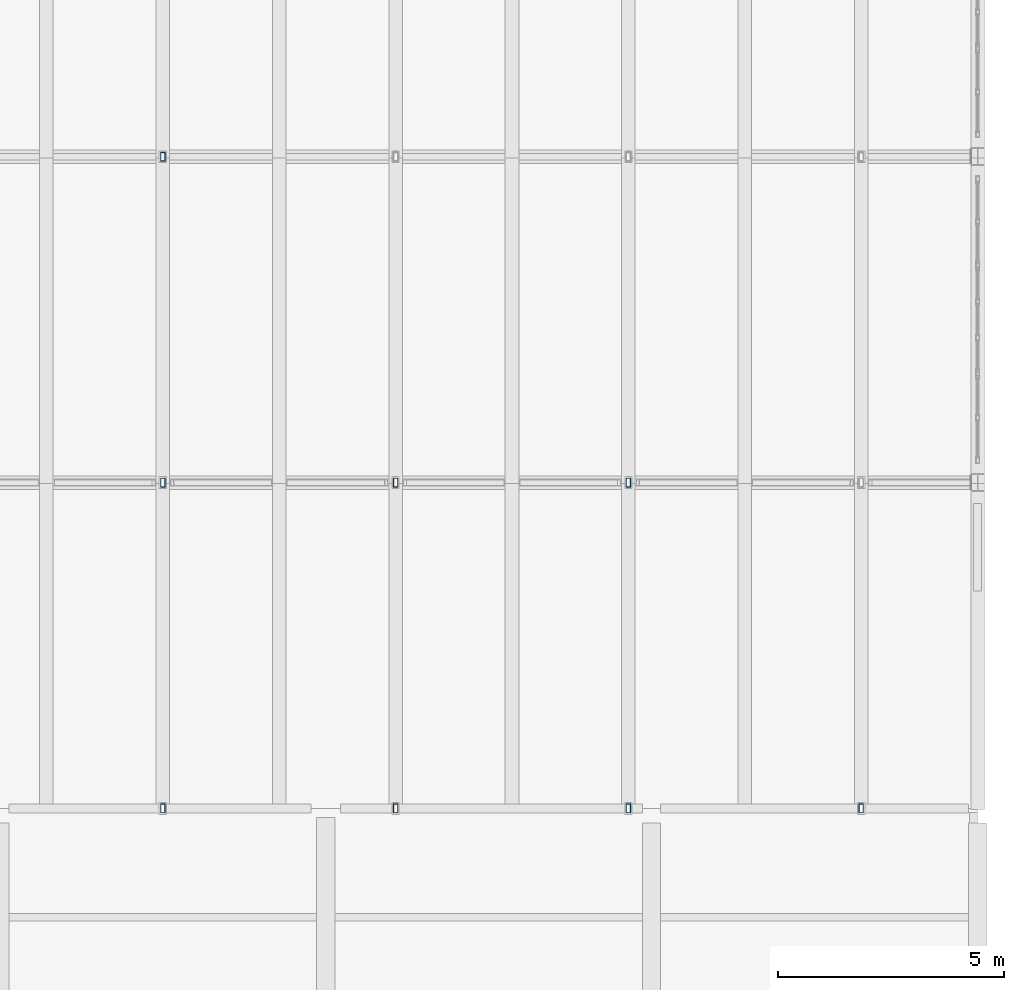
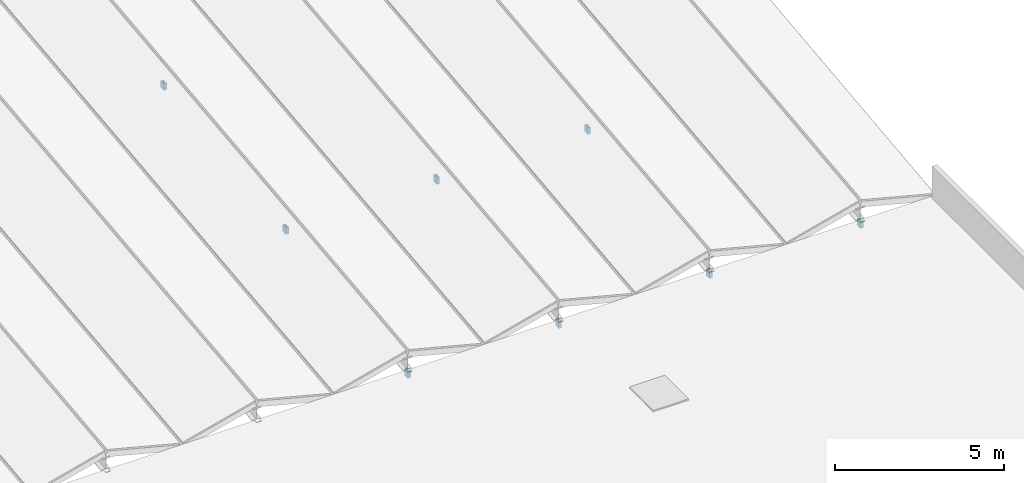
# One storey, part 24 of 48: 8 members.
"""IFC4 building model written with IfcOpenShell, lengths in metres."""

from ifc_helpers import new_model, si_unit, direction, frame, origin, origin_2d, place, context, subcontext, project, spatial, hollow_rectangle, extrude, material, material_profile, profile_set, type_object, element, save


model = new_model("IFC4")

# Units and contexts
model_context = context("Model", 3, precision=1e-05, world=origin(), true_north=direction((0.0, 1.0)))
body_context = subcontext(model_context, "Body", "Model", "MODEL_VIEW")
ifc_project = project(units=[si_unit("LENGTHUNIT", "METRE"), si_unit("AREAUNIT", "SQUARE_METRE"), si_unit("VOLUMEUNIT", "CUBIC_METRE"), si_unit("PLANEANGLEUNIT", "RADIAN"), si_unit("MASSUNIT", "GRAM", prefix="KILO"), si_unit("THERMODYNAMICTEMPERATUREUNIT", "KELVIN"), si_unit("POWERUNIT", "WATT")], contexts=[model_context])

# Site, building, storey
site_placement = place(None, origin())
site = spatial("IfcSite", under=ifc_project, at=site_placement, CompositionType="ELEMENT")
building_placement = place(site_placement, origin())
building = spatial("IfcBuilding", under=site, at=building_placement, Name="Kaldorven Railside Theatre", CompositionType="ELEMENT")
storey_placement = place(building_placement, frame((0.0, 0.0, 18.89990234375)))
storey = spatial("IfcBuildingStorey", under=building, at=storey_placement, Name="L04", CompositionType="ELEMENT", Elevation=18.89990234375)

# Members
ifc_material = material(Name="Steel S355", Category="steel")
ifc_material_profile = material_profile(ifc_material, hollow_rectangle(XDim=0.10009765625, YDim=0.199951171875, WallThickness=0.008056640625, at=origin_2d()), Name="RHS 200x100x8")
ifc_profile_set = profile_set([ifc_material_profile], Name="Steel S355")
member_type = type_object("IfcMemberType", Name="MEM-RHS200", PredefinedType="STRUT", material=ifc_profile_set)
for number, where, z_axis, x_axis, name in (
    (1, (105.199951171875, 40.800048828125, -0.239990234375), (0.0, 0.0, 1.0), (1.0, 0.0, 0.0), "V1 S Gable Roof Bearing Post"),
    (2, (110.3427734375, 40.800048828125, -0.239990234375), (0.0, 0.0, 1.0), (1.0, 0.0, 0.0), "V1 S Gable Roof Bearing Post"),
    (3, (115.485595703125, 40.800048828125, -0.239990234375), (0.0, 0.0, 1.0), (1.0, 0.0, 0.0), "V1 S Gable Roof Bearing Post"),
    (4, (120.62841796875, 40.800048828125, -0.239990234375), (0.0, 0.0, 1.0), (1.0, 0.0, 0.0), "V1 S Gable Roof Bearing Post"),
):
    element("IfcMember", number, at=place(storey_placement, frame(where, z_axis=z_axis, x_axis=x_axis)), inside=storey, type_object=member_type, Name=name, PredefinedType="STRUT", context=body_context, shape_type="SweptSolid", body=[
        extrude(hollow_rectangle(XDim=0.10009765625, YDim=0.199951171875, WallThickness=0.008056640625, at=origin_2d()), origin(), (0.0, 0.0, 1.0), 0.241455078125),
    ])
for number, where, z_axis, x_axis, name in (
    (5, (105.199951171875, 48.0, 0.583740234375), (0.0, 0.0, 1.0), (1.0, 0.0, 0.0), "V1 Folded-Roof King-Post Strut STR-021"),
    (6, (105.199951171875, 55.199951171875, 1.40380859375), (0.0, 0.0, 1.0), (1.0, 0.0, 0.0), "V1 Folded-Roof King-Post Strut STR-022"),
    (7, (110.3427734375, 48.0, 0.583740234375), (0.0, 0.0, 1.0), (1.0, 0.0, 0.0), "V1 Folded-Roof King-Post Strut STR-026"),
    (8, (115.485595703125, 48.0, 0.583740234375), (0.0, 0.0, 1.0), (1.0, 0.0, 0.0), "V1 Folded-Roof King-Post Strut STR-031"),
):
    element("IfcMember", number, at=place(storey_placement, frame(where, z_axis=z_axis, x_axis=x_axis)), inside=storey, type_object=member_type, Name=name, PredefinedType="STRUT", context=body_context, shape_type="SweptSolid", body=[
        extrude(hollow_rectangle(XDim=0.10009765625, YDim=0.199951171875, WallThickness=0.008056640625, at=origin_2d()), origin(), (0.0, 0.0, 1.0), 0.235595703125),
    ])

save(model, "model.ifc")
